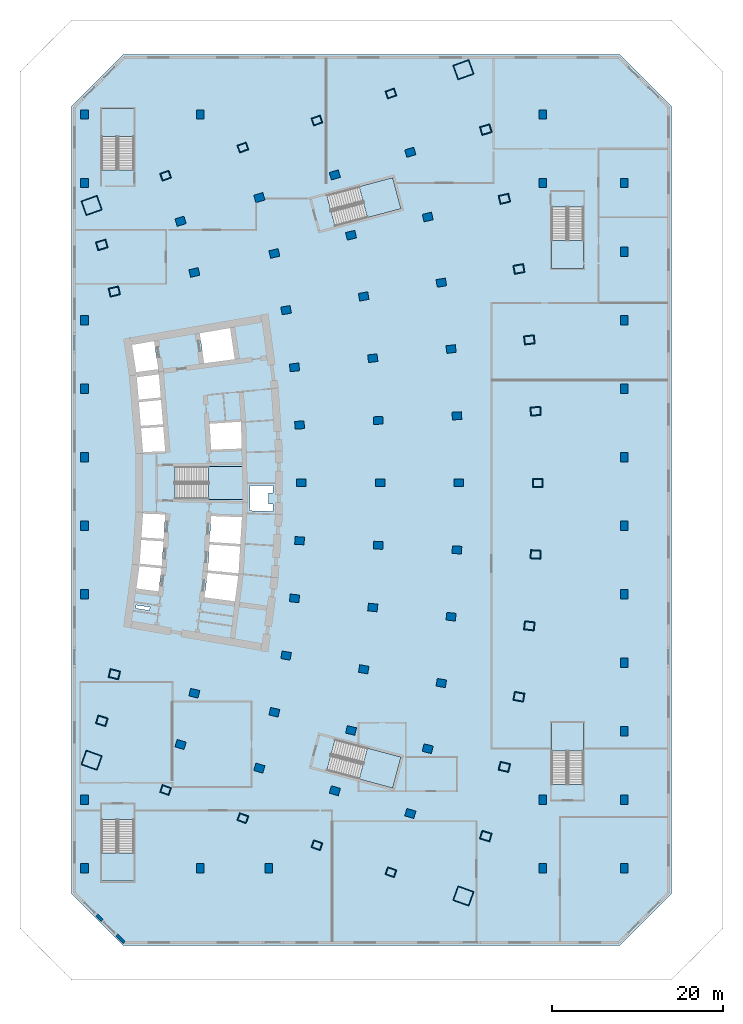
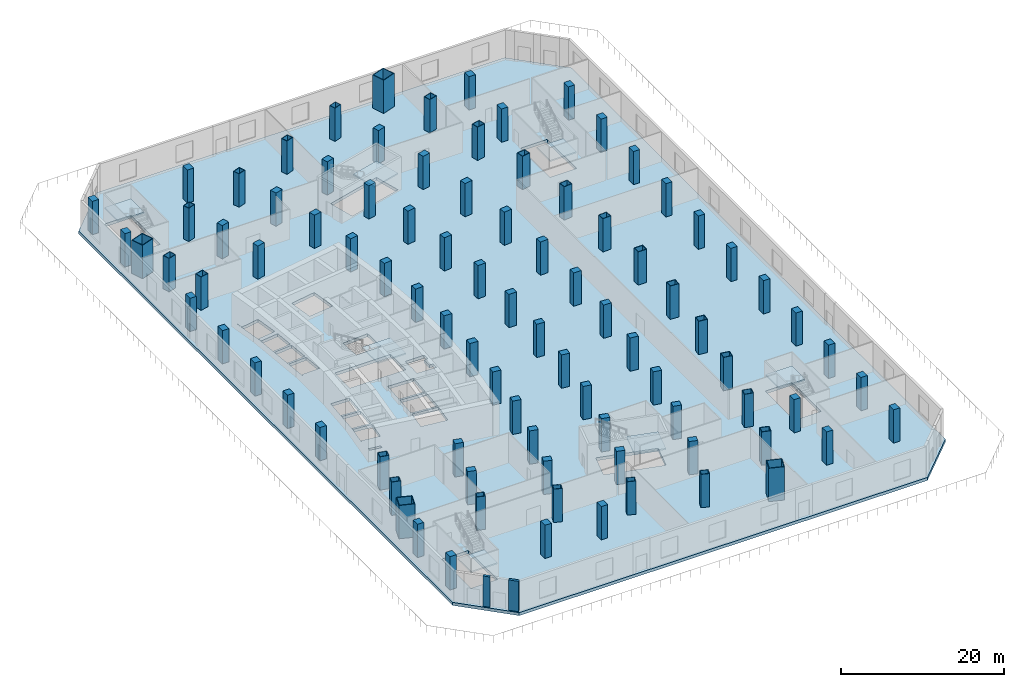
# One storey, part 1 of 15: 91 columns, 8 slabs, 2 walls, 7 elements without a shape of their own.
"""IFC4 building model written with IfcOpenShell, lengths in metres."""

from ifc_helpers import new_model, si_unit, direction, frame, frame_2d, origin, origin_2d, place, context, subcontext, project, spatial, polyline, rectangle, hollow_rectangle, outline, extrude, material, layer, layer_set, material_profile, profile_set, type_object, element, aggregate, save


model = new_model("IFC4")

# Units and contexts
model_context = context("Model", 3, precision=1e-05, world=origin(), true_north=direction((0.0, 1.0)))
body_context = subcontext(model_context, "Body", "Model", "MODEL_VIEW")
ifc_project = project(units=[si_unit("LENGTHUNIT", "METRE"), si_unit("AREAUNIT", "SQUARE_METRE"), si_unit("VOLUMEUNIT", "CUBIC_METRE"), si_unit("PLANEANGLEUNIT", "RADIAN"), si_unit("MASSUNIT", "GRAM", prefix="KILO")], contexts=[model_context])

# Site, building, storey
site_placement = place(None, origin())
site = spatial("IfcSite", under=ifc_project, at=site_placement, CompositionType="ELEMENT")
building_placement = place(site_placement, origin())
building = spatial("IfcBuilding", under=site, at=building_placement, Name="Alderwake Tower", CompositionType="ELEMENT")
storey_placement = place(building_placement, frame((0.0, 0.0, 13.5)))
storey = spatial("IfcBuildingStorey", under=building, at=storey_placement, Name="L02", CompositionType="ELEMENT", Elevation=13.5)

# Columns
ifc_material_1 = material(Name="Steel ASTM A572 Grade 50 concrete filled C70/85", Category="concrete")
ifc_material_profile_1 = material_profile(ifc_material_1, hollow_rectangle(XDim=0.89990234375, YDim=1.10009765625, WallThickness=0.06005859375, at=origin_2d()), Name="BOX 1100X900X60")
ifc_profile_set_1 = profile_set([ifc_material_profile_1], Name="Steel ASTM A572 Grade 50 concrete filled C70/85")
column_type_1 = type_object("IfcColumnType", Name="End column Z1", PredefinedType="COLUMN", material=ifc_profile_set_1)
for number, where, z_axis, x_axis, name in (
    (1, (19.965576171875, 25.1484375, 0.0), (0.0, 0.0, 1.0), (0.337584879279, 0.9412950915, 0.0), "Column R01-C1"),
    (2, (28.983642578125, 21.856689453125, 0.0), (0.0, 0.0, 1.0), (0.338026774049, 0.941136493834, 0.0), "Column R01-C2"),
    (3, (37.6259765625, 18.701904296875, 0.0), (0.0, 0.0, 1.0), (0.338384834858, 0.941007812687, 0.0), "Column R01-C3"),
    (4, (46.268310546875, 15.547119140625, 0.0), (0.0, 0.0, 1.0), (0.338695224082, 0.940896139425, 0.0), "Column R01-C4"),
    (5, (19.965576171875, 96.8515625, 0.0), (0.0, 0.0, 1.0), (-0.337584879279, 0.9412950915, 0.0), "Column R13-C1"),
    (6, (28.983642578125, 100.143310546875, 0.0), (0.0, 0.0, 1.0), (-0.338026774049, 0.941136493834, 0.0), "Column R13-C2"),
    (7, (37.6259765625, 103.298095703125, 0.0), (0.0, 0.0, 1.0), (-0.338384834858, 0.941007812687, 0.0), "Column R13-C3"),
    (8, (46.268310546875, 106.452880859375, 0.0), (0.0, 0.0, 1.0), (-0.338695224082, 0.940896139425, 0.0), "Column R13-C4"),
):
    element("IfcColumn", number, at=place(storey_placement, frame(where, z_axis=z_axis, x_axis=x_axis)), inside=storey, type_object=column_type_1, Name=name, PredefinedType="COLUMN", context=body_context, shape_type="SweptSolid", body=[
        extrude(hollow_rectangle(XDim=0.89990234375, YDim=1.10009765625, WallThickness=0.06005859375, at=origin_2d()), origin(), (0.0, 0.0, 1.0), 5.0),
    ])
ifc_material_2 = material(Name="Concrete C70/85", Category="concrete")
ifc_material_profile_2 = material_profile(ifc_material_2, rectangle(XDim=0.89990234375, YDim=1.10009765625, at=origin_2d()), Name="RC 1100X900")
ifc_profile_set_2 = profile_set([ifc_material_profile_2], Name="Concrete C70/85")
column_type_2 = type_object("IfcColumnType", Name="Interior column Z1", PredefinedType="COLUMN", material=ifc_profile_set_2)
for number, where, z_axis, x_axis, name in (
    (9, (21.714599609375, 30.46240234375, 0.0), (0.0, 0.0, 1.0), (0.287549418125, 0.957765802342, 0.0), "Column R02-C1"),
    (10, (30.9091796875, 27.701904296875, 0.0), (0.0, 0.0, 1.0), (0.287549418125, 0.957765802342, 0.0), "Column R02-C2"),
    (11, (39.720703125, 25.056396484375, 0.0), (0.0, 0.0, 1.0), (0.287549418125, 0.957765802342, 0.0), "Column R02-C3"),
    (12, (48.5322265625, 22.410888671875, 0.0), (0.0, 0.0, 1.0), (0.287549418125, 0.957765802342, 0.0), "Column R02-C4"),
    (13, (23.322021484375, 36.444091796875, 0.0), (0.0, 0.0, 1.0), (0.231221547198, 0.972901123502, 0.0), "Column R03-C1"),
    (14, (32.661865234375, 34.224609375, 0.0), (0.0, 0.0, 1.0), (0.231221547198, 0.972901123502, 0.0), "Column R03-C2"),
    (15, (41.612548828125, 32.097412109375, 0.0), (0.0, 0.0, 1.0), (0.231221547198, 0.972901123502, 0.0), "Column R03-C3"),
    (16, (50.563232421875, 29.969970703125, 0.0), (0.0, 0.0, 1.0), (0.231221547198, 0.972901123502, 0.0), "Column R03-C4"),
    (17, (34.03125, 40.83837890625, 0.0), (0.0, 0.0, 1.0), (0.174108800747, 0.984726421654, 0.0), "Column R04-C2"),
    (18, (43.0908203125, 39.236572265625, 0.0), (0.0, 0.0, 1.0), (0.174108800747, 0.984726421654, 0.0), "Column R04-C3"),
    (19, (52.150390625, 37.634765625, 0.0), (0.0, 0.0, 1.0), (0.174108800747, 0.984726421654, 0.0), "Column R04-C4"),
    (20, (35.0126953125, 47.5205078125, 0.0), (0.0, 0.0, 1.0), (0.116402054316, 0.993202175668, 0.0), "Column R05-C2"),
    (21, (44.150390625, 46.44970703125, 0.0), (0.0, 0.0, 1.0), (0.116402054316, 0.993202175668, 0.0), "Column R05-C3"),
    (22, (53.28759765625, 45.37890625, 0.0), (0.0, 0.0, 1.0), (0.116402054316, 0.993202175668, 0.0), "Column R05-C4"),
    (23, (35.60302734375, 54.248779296875, 0.0), (0.0, 0.0, 1.0), (0.058301061284, 0.998299046505, 0.0), "Column R06-C2"),
    (24, (44.787353515625, 53.71240234375, 0.0), (0.0, 0.0, 1.0), (0.058299318924, 0.998299148258, 0.0), "Column R06-C3"),
    (25, (53.9716796875, 53.176025390625, 0.0), (0.0, 0.0, 1.0), (0.058301061284, 0.998299046505, 0.0), "Column R06-C4"),
    (26, (35.800048828125, 61.0, 0.0), (0.0, 0.0, 1.0), (0.0, 1.0, 0.0), "Column R07-C2"),
    (27, (45.0, 61.0, 0.0), (0.0, 0.0, 1.0), (0.0, 1.0, 0.0), "Column R07-C3"),
    (28, (54.199951171875, 61.0, 0.0), (0.0, 0.0, 1.0), (0.0, 1.0, 0.0), "Column R07-C4"),
    (29, (35.60302734375, 67.751220703125, 0.0), (0.0, 0.0, 1.0), (-0.058301061284, 0.998299046505, 0.0), "Column R08-C2"),
    (30, (44.787353515625, 68.28759765625, 0.0), (0.0, 0.0, 1.0), (-0.058299318924, 0.998299148258, 0.0), "Column R08-C3"),
    (31, (53.9716796875, 68.823974609375, 0.0), (0.0, 0.0, 1.0), (-0.058301061284, 0.998299046505, 0.0), "Column R08-C4"),
    (32, (35.0126953125, 74.4794921875, 0.0), (0.0, 0.0, 1.0), (-0.116402054316, 0.993202175668, 0.0), "Column R09-C2"),
    (33, (44.150390625, 75.55029296875, 0.0), (0.0, 0.0, 1.0), (-0.116402054316, 0.993202175668, 0.0), "Column R09-C3"),
    (34, (53.28759765625, 76.62109375, 0.0), (0.0, 0.0, 1.0), (-0.116402054316, 0.993202175668, 0.0), "Column R09-C4"),
    (35, (34.03125, 81.16162109375, 0.0), (0.0, 0.0, 1.0), (-0.174108800747, 0.984726421654, 0.0), "Column R10-C2"),
    (36, (43.0908203125, 82.763427734375, 0.0), (0.0, 0.0, 1.0), (-0.174108800747, 0.984726421654, 0.0), "Column R10-C3"),
    (37, (52.150390625, 84.365234375, 0.0), (0.0, 0.0, 1.0), (-0.174108800747, 0.984726421654, 0.0), "Column R10-C4"),
    (38, (23.322021484375, 85.555908203125, 0.0), (0.0, 0.0, 1.0), (-0.231221547198, 0.972901123502, 0.0), "Column R11-C1"),
    (39, (32.661865234375, 87.775390625, 0.0), (0.0, 0.0, 1.0), (-0.231221547198, 0.972901123502, 0.0), "Column R11-C2"),
    (40, (41.612548828125, 89.902587890625, 0.0), (0.0, 0.0, 1.0), (-0.231221547198, 0.972901123502, 0.0), "Column R11-C3"),
    (41, (50.563232421875, 92.030029296875, 0.0), (0.0, 0.0, 1.0), (-0.231221547198, 0.972901123502, 0.0), "Column R11-C4"),
    (42, (21.714599609375, 91.53759765625, 0.0), (0.0, 0.0, 1.0), (-0.287549418125, 0.957765802342, 0.0), "Column R12-C1"),
    (43, (30.9091796875, 94.298095703125, 0.0), (0.0, 0.0, 1.0), (-0.287549418125, 0.957765802342, 0.0), "Column R12-C2"),
    (44, (39.720703125, 96.943603515625, 0.0), (0.0, 0.0, 1.0), (-0.287549418125, 0.957765802342, 0.0), "Column R12-C3"),
    (45, (48.5322265625, 99.589111328125, 0.0), (0.0, 0.0, 1.0), (-0.287549418125, 0.957765802342, 0.0), "Column R12-C4"),
):
    element("IfcColumn", number, at=place(storey_placement, frame(where, z_axis=z_axis, x_axis=x_axis)), inside=storey, type_object=column_type_2, Name=name, PredefinedType="COLUMN", context=body_context, shape_type="SweptSolid", body=[
        extrude(rectangle(XDim=0.89990234375, YDim=1.10009765625, at=origin_2d()), origin(), (0.0, 0.0, 1.0), 5.0),
    ])
ifc_material_3 = material(Name="Steel ASTM A572 Grade 50 concrete filled C70/85", Category="concrete")
ifc_material_profile_3 = material_profile(ifc_material_3, hollow_rectangle(XDim=1.800048828125, YDim=2.0, WallThickness=0.090087890625, at=origin_2d()), Name="BOX 2000X1800X90")
ifc_profile_set_3 = profile_set([ifc_material_profile_3], Name="Steel ASTM A572 Grade 50 concrete filled C70/85")
column_type_3 = type_object("IfcColumnType", Name="Mega column Z1", PredefinedType="COLUMN", material=ifc_profile_set_3)
for number, where, z_axis, x_axis, name in (
    (46, (11.330810546875, 28.622802734375, 0.0), (0.0, 0.0, 1.0), (0.334130947791, 0.942526662609, 0.0), "Column R01-C0"),
    (47, (54.7294921875, 12.77587890625, 0.0), (0.0, 0.0, 1.0), (0.336995022772, 0.941506428351, 0.0), "Column R01-C5"),
    (48, (11.330810546875, 93.377197265625, 0.0), (0.0, 0.0, 1.0), (-0.334130947791, 0.942526662609, 0.0), "Column R13-C0"),
    (49, (54.7294921875, 109.22412109375, 0.0), (0.0, 0.0, 1.0), (-0.336995022772, 0.941506428351, 0.0), "Column R13-C5"),
):
    element("IfcColumn", number, at=place(storey_placement, frame(where, z_axis=z_axis, x_axis=x_axis)), inside=storey, type_object=column_type_3, Name=name, PredefinedType="COLUMN", context=body_context, shape_type="SweptSolid", body=[
        extrude(hollow_rectangle(XDim=1.800048828125, YDim=2.0, WallThickness=0.090087890625, at=origin_2d()), origin(), (0.0, 0.0, 1.0), 5.0),
    ])
ifc_material_4 = material(Name="Steel ASTM A572 Grade 50 concrete filled C70/85", Category="concrete")
ifc_material_profile_4 = material_profile(ifc_material_4, hollow_rectangle(XDim=1.0, YDim=1.199951171875, WallThickness=0.06005859375, at=origin_2d()), Name="BOX 1200X1000X60")
ifc_profile_set_4 = profile_set([ifc_material_profile_4], Name="Steel ASTM A572 Grade 50 concrete filled C70/85")
column_type_4 = type_object("IfcColumnType", Name="Perimeter column Z1", PredefinedType="COLUMN", material=ifc_profile_set_4)
for number, where, z_axis, x_axis, name in (
    (50, (12.520263671875, 33.222900390625, 0.0), (0.0, 0.0, 1.0), (0.287549418125, 0.957765802342, 0.0), "Column R02-C0"),
    (51, (57.343505859375, 19.765380859375, 0.0), (0.0, 0.0, 1.0), (0.287549418125, 0.957765802342, 0.0), "Column R02-C5"),
    (52, (13.982177734375, 38.6640625, 0.0), (0.0, 0.0, 1.0), (0.231221547198, 0.972901123502, 0.0), "Column R03-C0"),
    (53, (59.513916015625, 27.8427734375, 0.0), (0.0, 0.0, 1.0), (0.231221547198, 0.972901123502, 0.0), "Column R03-C5"),
    (54, (61.209716796875, 36.032958984375, 0.0), (0.0, 0.0, 1.0), (0.174108800747, 0.984726421654, 0.0), "Column R04-C5"),
    (55, (62.42529296875, 44.307861328125, 0.0), (0.0, 0.0, 1.0), (0.116402054316, 0.993202175668, 0.0), "Column R05-C5"),
    (56, (63.156005859375, 52.6396484375, 0.0), (0.0, 0.0, 1.0), (0.058301061284, 0.998299046505, 0.0), "Column R06-C5"),
    (57, (63.39990234375, 61.0, 0.0), (0.0, 0.0, 1.0), (0.0, 1.0, 0.0), "Column R07-C5"),
    (58, (63.156005859375, 69.3603515625, 0.0), (0.0, 0.0, 1.0), (-0.058301061284, 0.998299046505, 0.0), "Column R08-C5"),
    (59, (62.42529296875, 77.692138671875, 0.0), (0.0, 0.0, 1.0), (-0.116402054316, 0.993202175668, 0.0), "Column R09-C5"),
    (60, (61.209716796875, 85.967041015625, 0.0), (0.0, 0.0, 1.0), (-0.174108800747, 0.984726421654, 0.0), "Column R10-C5"),
    (61, (13.982177734375, 83.3359375, 0.0), (0.0, 0.0, 1.0), (-0.231221547198, 0.972901123502, 0.0), "Column R11-C0"),
    (62, (59.513916015625, 94.1572265625, 0.0), (0.0, 0.0, 1.0), (-0.231221547198, 0.972901123502, 0.0), "Column R11-C5"),
    (63, (12.520263671875, 88.777099609375, 0.0), (0.0, 0.0, 1.0), (-0.287549418125, 0.957765802342, 0.0), "Column R12-C0"),
    (64, (57.343505859375, 102.234619140625, 0.0), (0.0, 0.0, 1.0), (-0.287549418125, 0.957765802342, 0.0), "Column R12-C5"),
):
    element("IfcColumn", number, at=place(storey_placement, frame(where, z_axis=z_axis, x_axis=x_axis)), inside=storey, type_object=column_type_4, Name=name, PredefinedType="COLUMN", context=body_context, shape_type="SweptSolid", body=[
        extrude(hollow_rectangle(XDim=1.0, YDim=1.199951171875, WallThickness=0.06005859375, at=origin_2d()), origin(), (0.0, 0.0, 1.0), 5.0),
    ])
ifc_material_5 = material(Name="Concrete C70/85", Category="concrete")
ifc_material_profile_5 = material_profile(ifc_material_5, rectangle(XDim=0.89990234375, YDim=1.10009765625, at=origin_2d()), Name="RC 1100X900")
ifc_profile_set_5 = profile_set([ifc_material_profile_5], Name="Concrete C70/85")
column_type_5 = type_object("IfcColumnType", Name="Podium column", PredefinedType="COLUMN", material=ifc_profile_set_5)
for number, where, z_axis, x_axis, name in (
    (65, (10.5, 16.0, 0.0), (0.0, 0.0, 1.0), (1.0, 0.0, 0.0), "Column XW-YC"),
    (66, (10.5, 24.0, 0.0), (0.0, 0.0, 1.0), (1.0, 0.0, 0.0), "Column XW-YD"),
    (67, (10.5, 48.0, 0.0), (0.0, 0.0, 1.0), (1.0, 0.0, 0.0), "Column XW-YG"),
    (68, (10.5, 56.0, 0.0), (0.0, 0.0, 1.0), (1.0, 0.0, 0.0), "Column XW-YH"),
    (69, (10.5, 64.0, 0.0), (0.0, 0.0, 1.0), (1.0, 0.0, 0.0), "Column XW-YI"),
    (70, (10.5, 72.0, 0.0), (0.0, 0.0, 1.0), (1.0, 0.0, 0.0), "Column XW-YJ"),
    (71, (10.5, 80.0, 0.0), (0.0, 0.0, 1.0), (1.0, 0.0, 0.0), "Column XW-YK"),
    (72, (10.5, 96.0, 0.0), (0.0, 0.0, 1.0), (1.0, 0.0, 0.0), "Column XW-YM"),
    (73, (10.5, 104.0, 0.0), (0.0, 0.0, 1.0), (1.0, 0.0, 0.0), "Column XW-YN"),
    (74, (24.0, 16.0, 0.0), (0.0, 0.0, 1.0), (1.0, 0.0, 0.0), "Column X04-YC"),
    (75, (24.0, 104.0, 0.0), (0.0, 0.0, 1.0), (1.0, 0.0, 0.0), "Column X04-YN"),
    (76, (32.0, 16.0, 0.0), (0.0, 0.0, 1.0), (1.0, 0.0, 0.0), "Column X05-YC"),
    (77, (64.0, 16.0, 0.0), (0.0, 0.0, 1.0), (1.0, 0.0, 0.0), "Column X09-YC"),
    (78, (64.0, 24.0, 0.0), (0.0, 0.0, 1.0), (1.0, 0.0, 0.0), "Column X09-YD"),
    (79, (64.0, 96.0, 0.0), (0.0, 0.0, 1.0), (1.0, 0.0, 0.0), "Column X09-YM"),
    (80, (64.0, 104.0, 0.0), (0.0, 0.0, 1.0), (1.0, 0.0, 0.0), "Column X09-YN"),
    (81, (73.5, 16.0, 0.0), (0.0, 0.0, 1.0), (1.0, 0.0, 0.0), "Column XS1-YC"),
    (82, (73.5, 24.0, 0.0), (0.0, 0.0, 1.0), (1.0, 0.0, 0.0), "Column XS1-YD"),
    (83, (73.5, 32.0, 0.0), (0.0, 0.0, 1.0), (1.0, 0.0, 0.0), "Column XS1-YE"),
    (84, (73.5, 40.0, 0.0), (0.0, 0.0, 1.0), (1.0, 0.0, 0.0), "Column XS1-YF"),
    (85, (73.5, 48.0, 0.0), (0.0, 0.0, 1.0), (1.0, 0.0, 0.0), "Column XS1-YG"),
    (86, (73.5, 56.0, 0.0), (0.0, 0.0, 1.0), (1.0, 0.0, 0.0), "Column XS1-YH"),
    (87, (73.5, 64.0, 0.0), (0.0, 0.0, 1.0), (1.0, 0.0, 0.0), "Column XS1-YI"),
    (88, (73.5, 72.0, 0.0), (0.0, 0.0, 1.0), (1.0, 0.0, 0.0), "Column XS1-YJ"),
    (89, (73.5, 80.0, 0.0), (0.0, 0.0, 1.0), (1.0, 0.0, 0.0), "Column XS1-YK"),
    (90, (73.5, 88.0, 0.0), (0.0, 0.0, 1.0), (1.0, 0.0, 0.0), "Column XS1-YL"),
    (91, (73.5, 96.0, 0.0), (0.0, 0.0, 1.0), (1.0, 0.0, 0.0), "Column XS1-YM"),
):
    element("IfcColumn", number, at=place(storey_placement, frame(where, z_axis=z_axis, x_axis=x_axis)), inside=storey, type_object=column_type_5, Name=name, PredefinedType="COLUMN", context=body_context, shape_type="SweptSolid", body=[
        extrude(rectangle(XDim=0.89990234375, YDim=1.10009765625, at=origin_2d()), origin(), (0.0, 0.0, 1.0), 5.0),
    ])

# Slab
ifc_material_6 = material(Name="Concrete C50/60", Category="concrete")
ifc_layer_1 = layer(ifc_material_6, 0.449951171875)
ifc_layer_set_1 = layer_set([ifc_layer_1], Name="Concrete C50/60 post-tensioned flat plate 450")
slab_type_1 = type_object("IfcSlabType", Name="Concrete C50/60 post-tensioned flat plate 450", PredefinedType="FLOOR", material=ifc_layer_set_1)
slab_1_placement = place(storey_placement, frame((0.0, 0.0, -0.449951171875)))
element("IfcSlab", 92, at=slab_1_placement, inside=storey, type_object=slab_type_1, Name="Floor slab L02", PredefinedType="FLOOR", context=body_context, shape_type="SweptSolid", body=[
    extrude(outline(polyline([(9.0, 105.0), (15.0, 111.0), (73.0, 111.0), (79.0, 105.0), (79.0, 13.0), (73.0, 7.0), (15.0, 7.0), (9.0, 13.0), (9.0, 105.0)]), holes=[polyline([(16.25, 14.5), (16.25, 21.68994140625), (12.5, 21.68994140625), (12.5, 14.5), (16.25, 14.5)]), polyline([(16.943359375, 51.26953125), (16.9580078125, 51.4189453125), (16.972900390625, 51.568115234375), (19.525146484375, 51.31591796875), (19.71630859375, 54.164794921875), (17.153564453125, 54.33642578125), (17.16357421875, 54.486083984375), (17.173583984375, 54.6357421875), (19.736083984375, 54.464111328125), (19.92724609375, 57.312744140625), (17.364013671875, 57.403564453125), (17.369140625, 57.553466796875), (17.33935546875, 57.554443359375), (17.1337890625, 54.48828125), (16.927978515625, 51.421875), (16.92822265625, 51.421875), (16.50927734375, 48.377197265625), (16.5390625, 48.373291015625), (16.577880859375, 48.6708984375), (19.138671875, 48.3359375), (19.495361328125, 51.017333984375), (16.943359375, 51.26953125)]), polyline([(29.0, 62.875), (21.050048828125, 62.875), (21.050048828125, 59.125), (29.0, 59.125), (29.0, 62.875)]), polyline([(19.688720703125, 67.53271484375), (17.12548828125, 67.361083984375), (17.115478515625, 67.510498046875), (17.10546875, 67.660400390625), (19.6640625, 67.831787109375), (19.42822265625, 70.674560546875), (16.87646484375, 70.42236328125), (16.86181640625, 70.571533203125), (16.846923828125, 70.720947265625), (19.403564453125, 70.973388671875), (19.179931640625, 73.66943359375), (16.646484375, 73.338134765625), (16.607666015625, 73.635498046875), (16.56884765625, 73.93310546875), (19.111083984375, 74.265625), (18.6240234375, 77.531982421875), (18.919921875, 77.575927734375), (18.916748046875, 77.593994140625), (16.082275390625, 77.10546875), (15.9345703125, 77.9619140625), (15.634765625, 77.908935546875), (15.63525390625, 77.9052734375), (15.9140625, 77.9482421875), (16.57763671875, 73.631591796875), (16.578369140625, 73.626220703125), (16.831787109375, 70.568603515625), (17.085693359375, 67.508544921875), (17.33935546875, 64.4482421875), (17.33935546875, 64.445556640625), (17.369384765625, 64.446533203125), (17.364013671875, 64.596435546875), (19.9248046875, 64.687255859375), (19.688720703125, 67.53271484375)]), polyline([(12.5, 104.699951171875), (12.5, 97.510009765625), (16.25, 97.510009765625), (16.25, 104.699951171875), (12.5, 104.699951171875)]), polyline([(47.436279296875, 28.996826171875), (39.754150390625, 31.043212890625), (38.7890625, 27.41943359375), (46.47119140625, 25.373291015625), (47.436279296875, 28.996826171875)]), polyline([(65.0, 33.0), (65.0, 25.81005859375), (68.75, 25.81005859375), (68.75, 33.0), (65.0, 33.0)]), polyline([(28.4482421875, 50.1328125), (24.87451171875, 50.48583984375), (24.878662109375, 50.52783203125), (24.875, 50.5283203125), (24.48974609375, 47.635986328125), (28.05419921875, 47.169921875), (28.4482421875, 50.1328125)]), polyline([(28.669921875, 53.564453125), (25.080810546875, 53.804931640625), (24.89501953125, 50.731201171875), (24.898681640625, 50.730712890625), (24.904052734375, 50.784423828125), (28.484375, 50.4306640625), (28.669921875, 53.564453125)]), polyline([(28.873291015625, 56.99609375), (25.281494140625, 57.123291015625), (25.09912109375, 54.1044921875), (28.687744140625, 53.864013671875), (28.873291015625, 56.99609375)]), polyline([(28.769287109375, 68.0869140625), (28.764892578125, 68.141357421875), (25.101318359375, 67.895751953125), (25.2822265625, 64.876708984375), (28.83740234375, 65.002685546875), (28.769287109375, 68.0869140625)]), polyline([(27.490966796875, 79.072021484375), (23.932373046875, 78.45849609375), (23.93310546875, 78.454833984375), (23.9443359375, 78.45654296875), (24.4697265625, 74.972412109375), (24.36474609375, 74.95654296875), (24.365478515625, 74.952880859375), (28.0400390625, 75.433349609375), (27.490966796875, 79.072021484375)]), polyline([(65.0, 86.0), (68.75, 86.0), (68.75, 93.18994140625), (65.0, 93.18994140625), (65.0, 86.0)]), polyline([(47.436279296875, 93.003173828125), (46.47119140625, 96.626708984375), (38.7890625, 94.58056640625), (39.754150390625, 90.956787109375), (47.436279296875, 93.003173828125)]), polyline([(18.137451171875, 46.497314453125), (16.534912109375, 46.728759765625), (16.4833984375, 46.355712890625), (18.08544921875, 46.10693359375), (18.137451171875, 46.497314453125)]), polyline([(29.769775390625, 57.7548828125), (32.489990234375, 57.66650390625), (32.489990234375, 58.509033203125), (31.989990234375, 58.509033203125), (31.989990234375, 59.80908203125), (32.489990234375, 59.80908203125), (32.489990234375, 60.675048828125), (29.783447265625, 60.675048828125), (29.826416015625, 58.727294921875), (29.769775390625, 57.7548828125)])]), origin(), (0.0, 0.0, 1.0), 0.449951171875),
])

# Stair, slab
ifc_material_7 = material(Name="Concrete C40/50", Category="concrete")
stair_type_1 = type_object("IfcStairType", Name="Core exit stair", PredefinedType="HALF_TURN_STAIR", material=ifc_material_7)
stair_1_placement = place(storey_placement, origin())
stair_1 = element("IfcStair", 93, at=stair_1_placement, inside=storey, type_object=stair_type_1, Name="L02 Exit Stair B", PredefinedType="HALF_TURN_STAIR")
ifc_material_8 = material(Name="Concrete C40/50", Category="concrete")
ifc_layer_2 = layer(ifc_material_8, 0.199951171875)
ifc_layer_set_2 = layer_set([ifc_layer_2], Name="Core stair landing 200")
slab_type_2 = type_object("IfcSlabType", Name="Core stair landing 200", PredefinedType="LANDING", material=ifc_layer_set_2)
slab_2_placement = place(storey_placement, frame((0.0, 0.0, 2.300048828125)))
slab_2 = element("IfcSlab", 94, at=slab_2_placement, type_object=slab_type_2, Name="ST-B landing 1", PredefinedType="LANDING", context=body_context, shape_type="SweptSolid", body=[
    extrude(outline(polyline([(24.949951171875, 59.074951171875), (29.0, 59.074951171875), (29.0, 62.925048828125), (24.949951171875, 62.925048828125), (24.949951171875, 59.074951171875)])), origin(), (0.0, 0.0, 1.0), 0.199951171875),
])
aggregate(stair_1, [slab_2])

stair_2_placement = place(storey_placement, origin())
stair_2 = element("IfcStair", 95, at=stair_2_placement, inside=storey, type_object=stair_type_1, Name="L02 Exit Stair A", PredefinedType="HALF_TURN_STAIR")
slab_3_placement = place(storey_placement, frame((0.0, 0.0, 2.300048828125)))
slab_3 = element("IfcSlab", 96, at=slab_3_placement, type_object=slab_type_2, Name="ST-A landing 1", PredefinedType="LANDING", context=body_context, shape_type="SweptSolid", body=[
    extrude(outline(polyline([(43.52294921875, 91.960693359375), (47.436279296875, 93.003173828125), (46.47119140625, 96.626708984375), (42.5576171875, 95.584228515625), (43.52294921875, 91.960693359375)])), origin(), (0.0, 0.0, 1.0), 0.199951171875),
])
aggregate(stair_2, [slab_3])

stair_3_placement = place(storey_placement, origin())
stair_3 = element("IfcStair", 97, at=stair_3_placement, inside=storey, type_object=stair_type_1, Name="L02 Exit Stair C", PredefinedType="HALF_TURN_STAIR")
slab_4_placement = place(storey_placement, frame((0.0, 0.0, 2.300048828125)))
slab_4 = element("IfcSlab", 98, at=slab_4_placement, type_object=slab_type_2, Name="ST-C landing 1", PredefinedType="LANDING", context=body_context, shape_type="SweptSolid", body=[
    extrude(outline(polyline([(42.5576171875, 26.41552734375), (46.47119140625, 25.373291015625), (47.436279296875, 28.996826171875), (43.522705078125, 30.039306640625), (42.5576171875, 26.41552734375)])), origin(), (0.0, 0.0, 1.0), 0.199951171875),
])
aggregate(stair_3, [slab_4])

ifc_material_9 = material(Name="Concrete C40/50", Category="concrete")
stair_type_2 = type_object("IfcStairType", Name="Exit stair 1800 half-turn", PredefinedType="HALF_TURN_STAIR", material=ifc_material_9)
stair_4_placement = place(storey_placement, origin())
stair_4 = element("IfcStair", 99, at=stair_4_placement, inside=storey, type_object=stair_type_2, Name="L02 Podium stair P1", PredefinedType="HALF_TURN_STAIR")
slab_5_placement = place(storey_placement, frame((0.0, 0.0, 2.300048828125)))
slab_5 = element("IfcSlab", 100, at=slab_5_placement, type_object=slab_type_2, Name="ST-P1 landing 1", PredefinedType="LANDING", context=body_context, shape_type="SweptSolid", body=[
    extrude(outline(polyline([(12.5, 17.7900390625), (12.5, 14.5), (16.25, 14.5), (16.25, 17.7900390625), (12.5, 17.7900390625)])), origin(), (0.0, 0.0, 1.0), 0.199951171875),
])
aggregate(stair_4, [slab_5])

stair_5_placement = place(storey_placement, origin())
stair_5 = element("IfcStair", 101, at=stair_5_placement, inside=storey, type_object=stair_type_2, Name="L02 Podium stair P2", PredefinedType="HALF_TURN_STAIR")
slab_6_placement = place(storey_placement, frame((0.0, 0.0, 2.300048828125)))
slab_6 = element("IfcSlab", 102, at=slab_6_placement, type_object=slab_type_2, Name="ST-P2 landing 1", PredefinedType="LANDING", context=body_context, shape_type="SweptSolid", body=[
    extrude(outline(polyline([(16.25, 101.409912109375), (16.25, 104.699951171875), (12.5, 104.699951171875), (12.5, 101.409912109375), (16.25, 101.409912109375)])), origin(), (0.0, 0.0, 1.0), 0.199951171875),
])
aggregate(stair_5, [slab_6])

stair_6_placement = place(storey_placement, origin())
stair_6 = element("IfcStair", 103, at=stair_6_placement, inside=storey, type_object=stair_type_2, Name="L02 Podium stair P3", PredefinedType="HALF_TURN_STAIR")
slab_7_placement = place(storey_placement, frame((0.0, 0.0, 2.300048828125)))
slab_7 = element("IfcSlab", 104, at=slab_7_placement, type_object=slab_type_2, Name="ST-P3 landing 1", PredefinedType="LANDING", context=body_context, shape_type="SweptSolid", body=[
    extrude(outline(polyline([(65.0, 89.2900390625), (65.0, 86.0), (68.75, 86.0), (68.75, 89.2900390625), (65.0, 89.2900390625)])), origin(), (0.0, 0.0, 1.0), 0.199951171875),
])
aggregate(stair_6, [slab_7])

stair_7_placement = place(storey_placement, origin())
stair_7 = element("IfcStair", 105, at=stair_7_placement, inside=storey, type_object=stair_type_2, Name="L02 Podium stair P4", PredefinedType="HALF_TURN_STAIR")
slab_8_placement = place(storey_placement, frame((0.0, 0.0, 2.300048828125)))
slab_8 = element("IfcSlab", 106, at=slab_8_placement, type_object=slab_type_2, Name="ST-P4 landing 1", PredefinedType="LANDING", context=body_context, shape_type="SweptSolid", body=[
    extrude(outline(polyline([(68.75, 29.7099609375), (68.75, 33.0), (65.0, 33.0), (65.0, 29.7099609375), (68.75, 29.7099609375)])), origin(), (0.0, 0.0, 1.0), 0.199951171875),
])
aggregate(stair_7, [slab_8])

# Walls
ifc_material_10 = material(Name="Precast concrete C50/60 spandrel panel", Category="concrete")
ifc_layer_3 = layer(ifc_material_10, 0.35009765625)
ifc_layer_set_3 = layer_set([ifc_layer_3], Name="External wall EW4 Precast concrete C50/60 podium")
wall_type = type_object("IfcWallType", Name="External wall EW4 Precast concrete C50/60 podium", PredefinedType="SOLIDWALL", material=ifc_layer_set_3)
wall_1_placement = place(storey_placement, frame((11.940185546875, 10.5546875, 0.0), z_axis=(0.0, 0.0, 1.0), x_axis=(0.707244847527, -0.706968687883, 0.0)))
element("IfcWall", 107, at=wall_1_placement, inside=storey, type_object=wall_type, Name="External wall 34", PredefinedType="SOLIDWALL", context=body_context, shape_type="SweptSolid", body=[
    extrude(rectangle(XDim=0.884033203125, YDim=0.35009765625, at=frame_2d((0.44189453125, 0.0))), origin(), (0.0, 0.0, 1.0), 4.550048828125),
])
wall_2_placement = place(storey_placement, frame((14.262451171875, 8.232421875, 0.0), z_axis=(0.0, 0.0, 1.0), x_axis=(0.707106781187, -0.707106781187, 0.0)))
element("IfcWall", 108, at=wall_2_placement, inside=storey, type_object=wall_type, Name="External wall 36", PredefinedType="SOLIDWALL", context=body_context, shape_type="SweptSolid", body=[
    extrude(rectangle(XDim=1.262939453125, YDim=0.35009765625, at=frame_2d((0.63134765625, 0.0))), origin(), (0.0, 0.0, 1.0), 4.550048828125),
])

save(model, "model.ifc")
